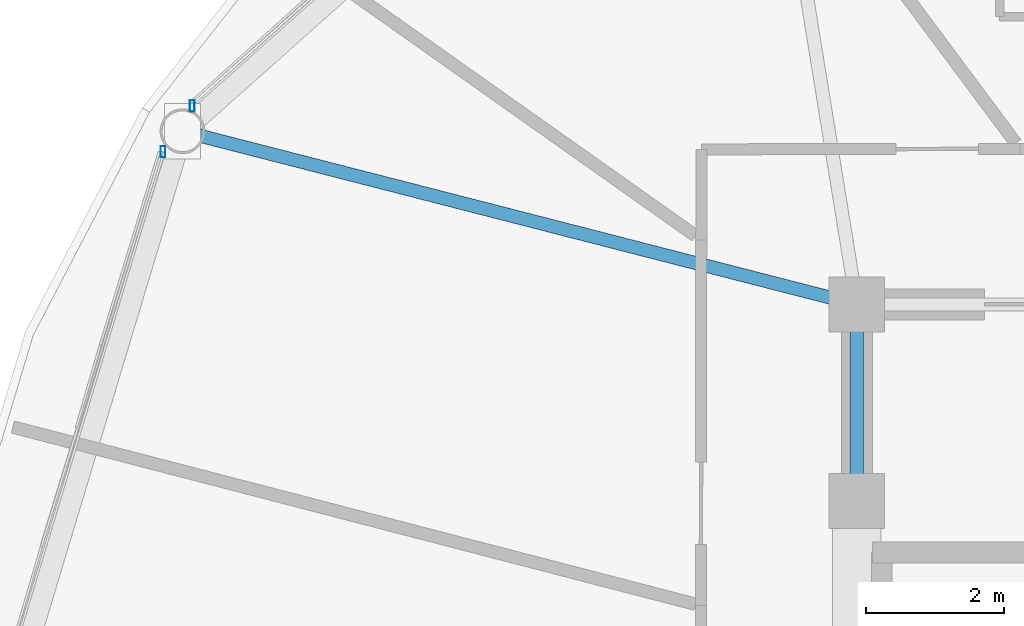
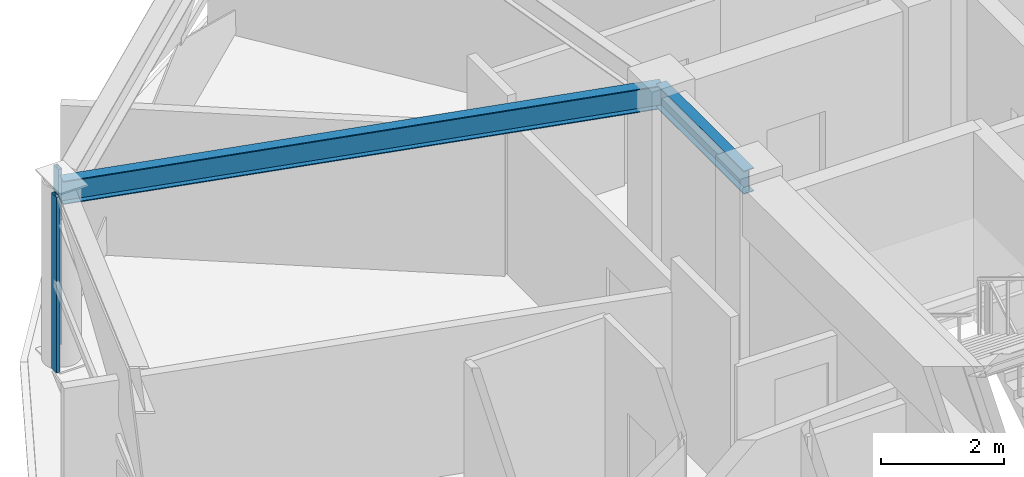
# One storey, part 9 of 30: 2 beams, 2 members, 2 elements without a shape of their own.
"""IFC4 building model written with IfcOpenShell, lengths in metres."""

from ifc_helpers import new_model, si_unit, direction, frame, origin, origin_2d, place, context, subcontext, project, spatial, hollow_rectangle, i_section, extrude, material, layer, layer_set, material_profile, profile_set, type_object, element, aggregate, save


model = new_model("IFC4")

# Units and contexts
model_context = context("Model", 3, precision=1e-05, world=origin(), true_north=direction((0.0, 1.0)))
body_context = subcontext(model_context, "Body", "Model", "MODEL_VIEW")
ifc_project = project(units=[si_unit("LENGTHUNIT", "METRE"), si_unit("AREAUNIT", "SQUARE_METRE"), si_unit("VOLUMEUNIT", "CUBIC_METRE"), si_unit("PLANEANGLEUNIT", "RADIAN"), si_unit("MASSUNIT", "GRAM", prefix="KILO")], contexts=[model_context])

# Site, building, storey
site_placement = place(None, origin())
site = spatial("IfcSite", under=ifc_project, at=site_placement, CompositionType="ELEMENT")
building_placement = place(site_placement, origin())
building = spatial("IfcBuilding", under=site, at=building_placement, Name="Vantalir Tower", CompositionType="ELEMENT")
storey_placement = place(building_placement, frame((0.0, 0.0, 201.14990234375)))
storey = spatial("IfcBuildingStorey", under=building, at=storey_placement, Name="L50", CompositionType="ELEMENT", Elevation=201.14990234375)

# Beams
ifc_material_1 = material(Name="Steel S355", Category="steel")
ifc_material_profile_1 = material_profile(ifc_material_1, i_section(OverallWidth=0.19189453125, OverallDepth=0.462890625, WebThickness=0.010498046875, FlangeThickness=0.017578125, at=origin_2d()), Name="Steel S355")
ifc_profile_set_1 = profile_set([ifc_material_profile_1], Name="Steel S355")
beam_type = type_object("IfcBeamType", Name="BM-RB-457x191", PredefinedType="BEAM", material=ifc_profile_set_1)
beam_1_placement = place(storey_placement, frame((21.89990234375, 32.449951171875, 3.338134765625), z_axis=(0.0, -1.0, 0.0), x_axis=(1.0, 0.0, 0.0)))
element("IfcBeam", 1, at=beam_1_placement, inside=storey, type_object=beam_type, Name="L50 Core Coupling Girder 12", PredefinedType="BEAM", context=body_context, shape_type="SweptSolid", body=[
    extrude(i_section(OverallWidth=0.19189453125, OverallDepth=0.462890625, WebThickness=0.010498046875, FlangeThickness=0.017578125, at=origin_2d()), origin(), (0.0, 0.0, 1.0), 2.849853515625),
])
beam_2_placement = place(storey_placement, frame((12.116943359375, 34.9619140625, 3.338134765625), z_axis=(0.968580157388, -0.24870158567, 0.0), x_axis=(0.24870158567, 0.968580157388, 0.0)))
element("IfcBeam", 2, at=beam_2_placement, inside=storey, type_object=beam_type, Name="L50 Radial Floor Beam 06", PredefinedType="BEAM", context=body_context, shape_type="SweptSolid", body=[
    extrude(i_section(OverallWidth=0.19189453125, OverallDepth=0.462890625, WebThickness=0.010498046875, FlangeThickness=0.017578125, at=origin_2d()), origin(), (0.0, 0.0, 1.0), 10.100341796875),
])

# Curtain wall, member
ifc_material_2 = material(Name="Champagne-silver PVDF aluminium and double-silver Low-E glass", Category="aluminium")
ifc_layer = layer(ifc_material_2, 0.2099609375)
ifc_layer_set = layer_set([ifc_layer], Name="Champagne-silver PVDF aluminium and double-silver Low-E glass")
curtain_wall_type = type_object("IfcCurtainWallType", Name="CW-DIAMOND-Z3", PredefinedType="USERDEFINED", material=ifc_layer_set)
curtain_wall_1_placement = place(storey_placement, origin())
curtain_wall_1 = element("IfcCurtainWall", 3, at=curtain_wall_1_placement, inside=storey, type_object=curtain_wall_type, Name="L50 Quilted Pyramid-Diamond Curtain Wall S05", ObjectType="UNITISED CURTAIN WALL", PredefinedType="USERDEFINED")
ifc_material_3 = material(Name="Champagne-silver PVDF aluminium 6063-T6", Category="aluminium")
ifc_material_profile_2 = material_profile(ifc_material_3, hollow_rectangle(XDim=0.070068359375, YDim=0.1650390625, WallThickness=0.00390625, at=origin_2d()), Name="Champagne-silver PVDF aluminium 6063-T6")
ifc_profile_set_2 = profile_set([ifc_material_profile_2], Name="Champagne-silver PVDF aluminium 6063-T6")
member_type = type_object("IfcMemberType", Name="CWM-165x70", PredefinedType="MULLION", material=ifc_profile_set_2)
member_1_placement = place(storey_placement, frame((12.258056640625, 35.3310546875, 0.045166015625), z_axis=(0.0, 0.0, 1.0), x_axis=(1.0, 0.0, 0.0)))
member_1 = element("IfcMember", 4, at=member_1_placement, type_object=member_type, Name="CW-L50-S05 Mullion 2", PredefinedType="MULLION", context=body_context, shape_type="SweptSolid", body=[
    extrude(hollow_rectangle(XDim=0.070068359375, YDim=0.1650390625, WallThickness=0.00390625, at=origin_2d()), origin(), (0.0, 0.0, 1.0), 3.47998046875),
])
aggregate(curtain_wall_1, [member_1])

curtain_wall_2_placement = place(storey_placement, origin())
curtain_wall_2 = element("IfcCurtainWall", 5, at=curtain_wall_2_placement, inside=storey, type_object=curtain_wall_type, Name="L50 Quilted Pyramid-Diamond Curtain Wall S06", ObjectType="UNITISED CURTAIN WALL", PredefinedType="USERDEFINED")
member_2_placement = place(storey_placement, frame((11.833984375, 34.6650390625, 0.045166015625), z_axis=(0.0, 0.0, 1.0), x_axis=(1.0, 0.0, 0.0)))
member_2 = element("IfcMember", 6, at=member_2_placement, type_object=member_type, Name="CW-L50-S06 Mullion 1", PredefinedType="MULLION", context=body_context, shape_type="SweptSolid", body=[
    extrude(hollow_rectangle(XDim=0.070068359375, YDim=0.1650390625, WallThickness=0.00390625, at=origin_2d()), origin(), (0.0, 0.0, 1.0), 3.47998046875),
])
aggregate(curtain_wall_2, [member_2])

save(model, "model.ifc")
